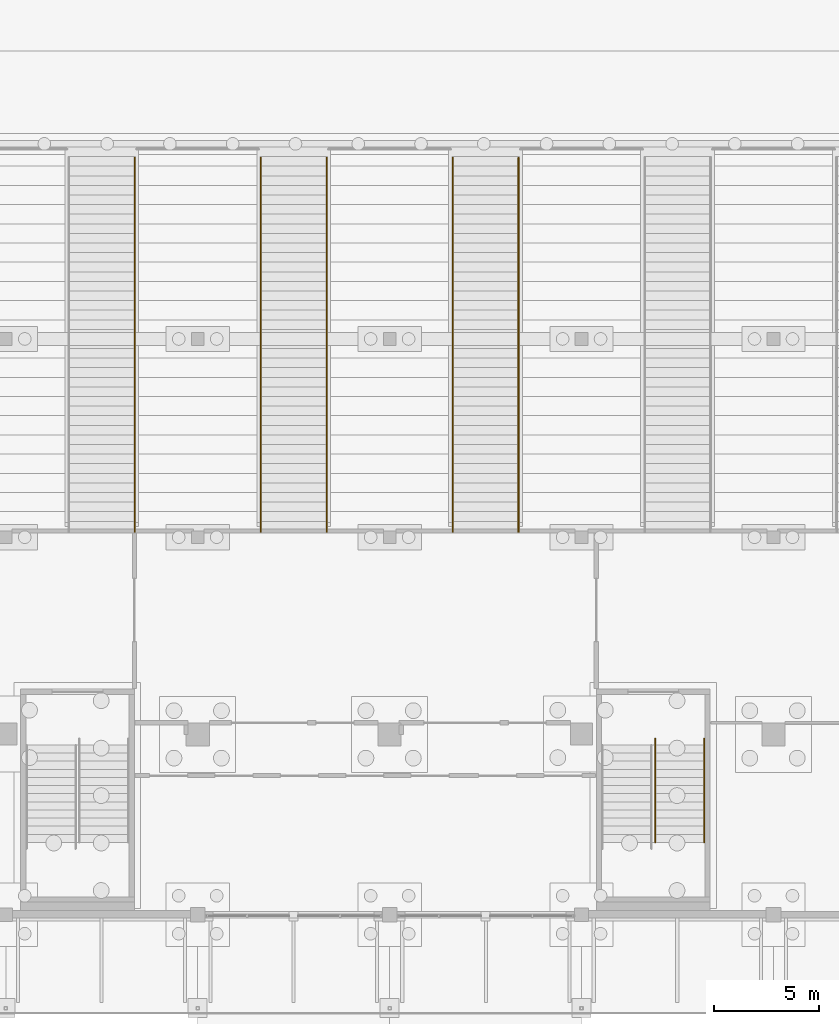
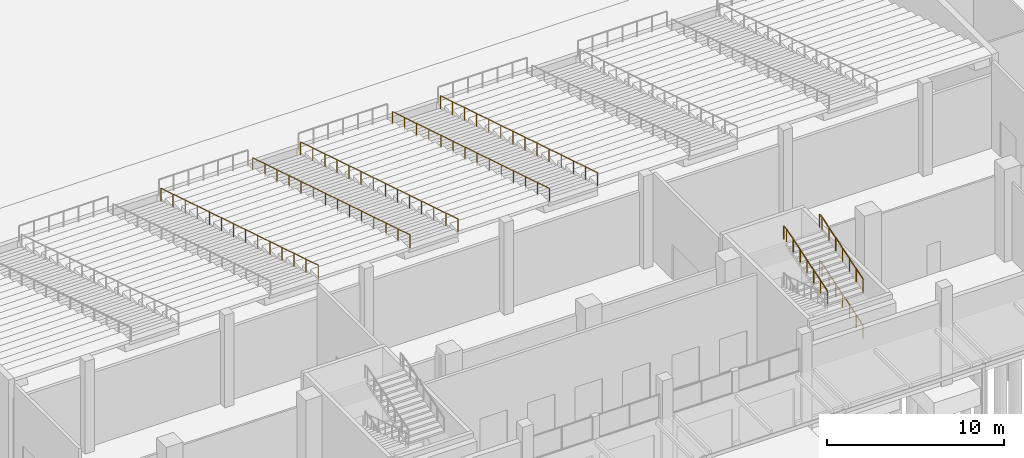
# One storey, part 105 of 129: 8 railings.
"""IFC4 building model written with IfcOpenShell, lengths in metres."""

from ifc_helpers import new_model, si_unit, direction, frame, origin, origin_2d, place, context, subcontext, project, spatial, circle, extrude, material, type_object, element, save


model = new_model("IFC4")

# Units and contexts
model_context = context("Model", 3, precision=1e-05, world=origin(), true_north=direction((0.0, 1.0)))
body_context = subcontext(model_context, "Body", "Model", "MODEL_VIEW")
ifc_project = project(units=[si_unit("LENGTHUNIT", "METRE"), si_unit("AREAUNIT", "SQUARE_METRE"), si_unit("VOLUMEUNIT", "CUBIC_METRE"), si_unit("PLANEANGLEUNIT", "RADIAN"), si_unit("MASSUNIT", "GRAM", prefix="KILO")], contexts=[model_context])

# Site, building, storey
site_placement = place(None, origin())
site = spatial("IfcSite", under=ifc_project, at=site_placement, CompositionType="ELEMENT")
building_placement = place(site_placement, origin())
building = spatial("IfcBuilding", under=site, at=building_placement, Name="Shirokan Park Arena", CompositionType="ELEMENT")
storey_placement = place(building_placement, origin())
storey = spatial("IfcBuildingStorey", under=building, at=storey_placement, Name="L00", CompositionType="ELEMENT", Elevation=0.0)

# Railings
ifc_material = material(Name="Stainless steel", Category="steel")
railing_type_1 = type_object("IfcRailingType", Name="Aisle handrail 900", PredefinedType="HANDRAIL", material=ifc_material)
railing_1_placement = place(storey_placement, frame((60.7099609375, 35.89501953125, 0.909912109375)))
element("IfcRailing", 1, at=railing_1_placement, inside=storey, type_object=railing_type_1, Name="Handrail vomitory stair S2 lower", PredefinedType="HANDRAIL", context=body_context, shape_type="SweptSolid", body=[
    extrude(circle(Radius=0.02490234375, at=origin_2d()), frame((0.0, 0.0, 0.89013671875), z_axis=(0.0, -0.955745737905, 0.294193957241), x_axis=(1.0, 0.0, 0.0)), (0.0, 0.0, 1.0), 1.42822265625),
    extrude(circle(Radius=0.02490234375, at=origin_2d()), frame((0.0, -1.364990234375, 1.310546875), z_axis=(0.0, -0.95579379257, 0.294037797035), x_axis=(1.0, 0.0, 0.0)), (0.0, 0.0, 1.0), 1.42822265625),
    extrude(circle(Radius=0.02490234375, at=origin_2d()), frame((0.0, -2.72998046875, 1.73046875), z_axis=(0.0, -0.95579379257, 0.294037797035), x_axis=(1.0, 0.0, 0.0)), (0.0, 0.0, 1.0), 1.42822265625),
    extrude(circle(Radius=0.02490234375, at=origin_2d()), frame((0.0, -4.094970703125, 2.150390625), z_axis=(0.0, -0.955745737905, 0.294193957241), x_axis=(1.0, 0.0, 0.0)), (0.0, 0.0, 1.0), 1.42822265625),
    extrude(circle(Radius=0.02490234375, at=origin_2d()), frame((0.0, -5.4599609375, 2.5703125), z_axis=(0.0, -0.95579379257, 0.294037797035), x_axis=(1.0, 0.0, 0.0)), (0.0, 0.0, 1.0), 1.42822265625),
    extrude(circle(Radius=0.02490234375, at=origin_2d()), frame((0.0, -6.824951171875, 2.990234375), z_axis=(0.0, -0.95579379257, 0.294037797035), x_axis=(1.0, 0.0, 0.0)), (0.0, 0.0, 1.0), 1.42822265625),
    extrude(circle(Radius=0.02490234375, at=origin_2d()), frame((0.0, -8.18994140625, 3.41015625), z_axis=(0.0, -0.955745737905, 0.294193957241), x_axis=(1.0, 0.0, 0.0)), (0.0, 0.0, 1.0), 1.42822265625),
    extrude(circle(Radius=0.02490234375, at=origin_2d()), frame((0.0, -9.554931640625, 3.83056640625), z_axis=(0.0, -0.95579379257, 0.294037797035), x_axis=(1.0, 0.0, 0.0)), (0.0, 0.0, 1.0), 1.42822265625),
    extrude(circle(Radius=0.02490234375, at=origin_2d()), frame((0.0, -10.919921875, 4.25048828125), z_axis=(0.0, -0.95579379257, 0.294037797035), x_axis=(1.0, 0.0, 0.0)), (0.0, 0.0, 1.0), 1.42822265625),
    extrude(circle(Radius=0.02490234375, at=origin_2d()), frame((0.0, -12.284912109375, 4.67041015625), z_axis=(0.0, -0.955745737905, 0.294193957241), x_axis=(1.0, 0.0, 0.0)), (0.0, 0.0, 1.0), 1.42822265625),
    extrude(circle(Radius=0.02490234375, at=origin_2d()), frame((0.0, -13.64990234375, 5.09033203125), z_axis=(0.0, -0.955808569173, 0.293989760189), x_axis=(1.0, 0.0, 0.0)), (0.0, 0.0, 1.0), 1.428466796875),
    extrude(circle(Radius=0.02490234375, at=origin_2d()), frame((0.0, -15.01513671875, 5.51025390625), z_axis=(0.0, -0.95579379257, 0.294037797035), x_axis=(1.0, 0.0, 0.0)), (0.0, 0.0, 1.0), 1.42822265625),
    extrude(circle(Radius=0.02490234375, at=origin_2d()), frame((0.0, -16.380126953125, 5.93017578125), z_axis=(0.0, -0.955745737905, 0.294193957241), x_axis=(1.0, 0.0, 0.0)), (0.0, 0.0, 1.0), 1.42822265625),
    extrude(circle(Radius=0.02490234375, at=origin_2d()), origin(), (0.0, 0.0, 1.0), 0.865234375),
    extrude(circle(Radius=0.02490234375, at=origin_2d()), frame((0.0, -1.364990234375, 0.420166015625)), (0.0, 0.0, 1.0), 0.865234375),
    extrude(circle(Radius=0.02490234375, at=origin_2d()), frame((0.0, -2.72998046875, 0.840087890625)), (0.0, 0.0, 1.0), 0.865234375),
    extrude(circle(Radius=0.02490234375, at=origin_2d()), frame((0.0, -4.094970703125, 1.260009765625)), (0.0, 0.0, 1.0), 0.865234375),
    extrude(circle(Radius=0.02490234375, at=origin_2d()), frame((0.0, -5.4599609375, 1.68017578125)), (0.0, 0.0, 1.0), 0.865234375),
    extrude(circle(Radius=0.02490234375, at=origin_2d()), frame((0.0, -6.824951171875, 2.10009765625)), (0.0, 0.0, 1.0), 0.865234375),
    extrude(circle(Radius=0.02490234375, at=origin_2d()), frame((0.0, -8.18994140625, 2.52001953125)), (0.0, 0.0, 1.0), 0.865234375),
    extrude(circle(Radius=0.02490234375, at=origin_2d()), frame((0.0, -9.554931640625, 2.940185546875)), (0.0, 0.0, 1.0), 0.865234375),
    extrude(circle(Radius=0.02490234375, at=origin_2d()), frame((0.0, -10.919921875, 3.360107421875)), (0.0, 0.0, 1.0), 0.865234375),
    extrude(circle(Radius=0.02490234375, at=origin_2d()), frame((0.0, -12.284912109375, 3.780029296875)), (0.0, 0.0, 1.0), 0.865234375),
    extrude(circle(Radius=0.02490234375, at=origin_2d()), frame((0.0, -13.64990234375, 4.2001953125)), (0.0, 0.0, 1.0), 0.865234375),
    extrude(circle(Radius=0.02490234375, at=origin_2d()), frame((0.0, -15.01513671875, 4.6201171875)), (0.0, 0.0, 1.0), 0.865234375),
    extrude(circle(Radius=0.02490234375, at=origin_2d()), frame((0.0, -16.380126953125, 5.0400390625)), (0.0, 0.0, 1.0), 0.865234375),
    extrude(circle(Radius=0.02490234375, at=origin_2d()), frame((0.0, -17.7451171875, 5.460205078125)), (0.0, 0.0, 1.0), 0.865234375),
])
railing_2_placement = place(storey_placement, frame((66.68994140625, 35.89501953125, 0.909912109375)))
element("IfcRailing", 2, at=railing_2_placement, inside=storey, type_object=railing_type_1, Name="Handrail vomitory stair S3 lower", PredefinedType="HANDRAIL", context=body_context, shape_type="SweptSolid", body=[
    extrude(circle(Radius=0.02490234375, at=origin_2d()), frame((0.0, 0.0, 0.89013671875), z_axis=(0.0, -0.955745737905, 0.294193957241), x_axis=(1.0, 0.0, 0.0)), (0.0, 0.0, 1.0), 1.42822265625),
    extrude(circle(Radius=0.02490234375, at=origin_2d()), frame((0.0, -1.364990234375, 1.310546875), z_axis=(0.0, -0.95579379257, 0.294037797035), x_axis=(1.0, 0.0, 0.0)), (0.0, 0.0, 1.0), 1.42822265625),
    extrude(circle(Radius=0.02490234375, at=origin_2d()), frame((0.0, -2.72998046875, 1.73046875), z_axis=(0.0, -0.95579379257, 0.294037797035), x_axis=(1.0, 0.0, 0.0)), (0.0, 0.0, 1.0), 1.42822265625),
    extrude(circle(Radius=0.02490234375, at=origin_2d()), frame((0.0, -4.094970703125, 2.150390625), z_axis=(0.0, -0.955745737905, 0.294193957241), x_axis=(1.0, 0.0, 0.0)), (0.0, 0.0, 1.0), 1.42822265625),
    extrude(circle(Radius=0.02490234375, at=origin_2d()), frame((0.0, -5.4599609375, 2.5703125), z_axis=(0.0, -0.95579379257, 0.294037797035), x_axis=(1.0, 0.0, 0.0)), (0.0, 0.0, 1.0), 1.42822265625),
    extrude(circle(Radius=0.02490234375, at=origin_2d()), frame((0.0, -6.824951171875, 2.990234375), z_axis=(0.0, -0.95579379257, 0.294037797035), x_axis=(1.0, 0.0, 0.0)), (0.0, 0.0, 1.0), 1.42822265625),
    extrude(circle(Radius=0.02490234375, at=origin_2d()), frame((0.0, -8.18994140625, 3.41015625), z_axis=(0.0, -0.955745737905, 0.294193957241), x_axis=(1.0, 0.0, 0.0)), (0.0, 0.0, 1.0), 1.42822265625),
    extrude(circle(Radius=0.02490234375, at=origin_2d()), frame((0.0, -9.554931640625, 3.83056640625), z_axis=(0.0, -0.95579379257, 0.294037797035), x_axis=(1.0, 0.0, 0.0)), (0.0, 0.0, 1.0), 1.42822265625),
    extrude(circle(Radius=0.02490234375, at=origin_2d()), frame((0.0, -10.919921875, 4.25048828125), z_axis=(0.0, -0.95579379257, 0.294037797035), x_axis=(1.0, 0.0, 0.0)), (0.0, 0.0, 1.0), 1.42822265625),
    extrude(circle(Radius=0.02490234375, at=origin_2d()), frame((0.0, -12.284912109375, 4.67041015625), z_axis=(0.0, -0.955745737905, 0.294193957241), x_axis=(1.0, 0.0, 0.0)), (0.0, 0.0, 1.0), 1.42822265625),
    extrude(circle(Radius=0.02490234375, at=origin_2d()), frame((0.0, -13.64990234375, 5.09033203125), z_axis=(0.0, -0.955808569173, 0.293989760189), x_axis=(1.0, 0.0, 0.0)), (0.0, 0.0, 1.0), 1.428466796875),
    extrude(circle(Radius=0.02490234375, at=origin_2d()), frame((0.0, -15.01513671875, 5.51025390625), z_axis=(0.0, -0.95579379257, 0.294037797035), x_axis=(1.0, 0.0, 0.0)), (0.0, 0.0, 1.0), 1.42822265625),
    extrude(circle(Radius=0.02490234375, at=origin_2d()), frame((0.0, -16.380126953125, 5.93017578125), z_axis=(0.0, -0.955745737905, 0.294193957241), x_axis=(1.0, 0.0, 0.0)), (0.0, 0.0, 1.0), 1.42822265625),
    extrude(circle(Radius=0.02490234375, at=origin_2d()), origin(), (0.0, 0.0, 1.0), 0.865234375),
    extrude(circle(Radius=0.02490234375, at=origin_2d()), frame((0.0, -1.364990234375, 0.420166015625)), (0.0, 0.0, 1.0), 0.865234375),
    extrude(circle(Radius=0.02490234375, at=origin_2d()), frame((0.0, -2.72998046875, 0.840087890625)), (0.0, 0.0, 1.0), 0.865234375),
    extrude(circle(Radius=0.02490234375, at=origin_2d()), frame((0.0, -4.094970703125, 1.260009765625)), (0.0, 0.0, 1.0), 0.865234375),
    extrude(circle(Radius=0.02490234375, at=origin_2d()), frame((0.0, -5.4599609375, 1.68017578125)), (0.0, 0.0, 1.0), 0.865234375),
    extrude(circle(Radius=0.02490234375, at=origin_2d()), frame((0.0, -6.824951171875, 2.10009765625)), (0.0, 0.0, 1.0), 0.865234375),
    extrude(circle(Radius=0.02490234375, at=origin_2d()), frame((0.0, -8.18994140625, 2.52001953125)), (0.0, 0.0, 1.0), 0.865234375),
    extrude(circle(Radius=0.02490234375, at=origin_2d()), frame((0.0, -9.554931640625, 2.940185546875)), (0.0, 0.0, 1.0), 0.865234375),
    extrude(circle(Radius=0.02490234375, at=origin_2d()), frame((0.0, -10.919921875, 3.360107421875)), (0.0, 0.0, 1.0), 0.865234375),
    extrude(circle(Radius=0.02490234375, at=origin_2d()), frame((0.0, -12.284912109375, 3.780029296875)), (0.0, 0.0, 1.0), 0.865234375),
    extrude(circle(Radius=0.02490234375, at=origin_2d()), frame((0.0, -13.64990234375, 4.2001953125)), (0.0, 0.0, 1.0), 0.865234375),
    extrude(circle(Radius=0.02490234375, at=origin_2d()), frame((0.0, -15.01513671875, 4.6201171875)), (0.0, 0.0, 1.0), 0.865234375),
    extrude(circle(Radius=0.02490234375, at=origin_2d()), frame((0.0, -16.380126953125, 5.0400390625)), (0.0, 0.0, 1.0), 0.865234375),
    extrude(circle(Radius=0.02490234375, at=origin_2d()), frame((0.0, -17.7451171875, 5.460205078125)), (0.0, 0.0, 1.0), 0.865234375),
])
railing_3_placement = place(storey_placement, frame((69.81005859375, 35.89501953125, 0.909912109375)))
element("IfcRailing", 3, at=railing_3_placement, inside=storey, type_object=railing_type_1, Name="Handrail vomitory stair S3 lower", PredefinedType="HANDRAIL", context=body_context, shape_type="SweptSolid", body=[
    extrude(circle(Radius=0.02490234375, at=origin_2d()), frame((0.0, 0.0, 0.89013671875), z_axis=(0.0, -0.955745737905, 0.294193957241), x_axis=(1.0, 0.0, 0.0)), (0.0, 0.0, 1.0), 1.42822265625),
    extrude(circle(Radius=0.02490234375, at=origin_2d()), frame((0.0, -1.364990234375, 1.310546875), z_axis=(0.0, -0.95579379257, 0.294037797035), x_axis=(1.0, 0.0, 0.0)), (0.0, 0.0, 1.0), 1.42822265625),
    extrude(circle(Radius=0.02490234375, at=origin_2d()), frame((0.0, -2.72998046875, 1.73046875), z_axis=(0.0, -0.95579379257, 0.294037797035), x_axis=(1.0, 0.0, 0.0)), (0.0, 0.0, 1.0), 1.42822265625),
    extrude(circle(Radius=0.02490234375, at=origin_2d()), frame((0.0, -4.094970703125, 2.150390625), z_axis=(0.0, -0.955745737905, 0.294193957241), x_axis=(1.0, 0.0, 0.0)), (0.0, 0.0, 1.0), 1.42822265625),
    extrude(circle(Radius=0.02490234375, at=origin_2d()), frame((0.0, -5.4599609375, 2.5703125), z_axis=(0.0, -0.95579379257, 0.294037797035), x_axis=(1.0, 0.0, 0.0)), (0.0, 0.0, 1.0), 1.42822265625),
    extrude(circle(Radius=0.02490234375, at=origin_2d()), frame((0.0, -6.824951171875, 2.990234375), z_axis=(0.0, -0.95579379257, 0.294037797035), x_axis=(1.0, 0.0, 0.0)), (0.0, 0.0, 1.0), 1.42822265625),
    extrude(circle(Radius=0.02490234375, at=origin_2d()), frame((0.0, -8.18994140625, 3.41015625), z_axis=(0.0, -0.955745737905, 0.294193957241), x_axis=(1.0, 0.0, 0.0)), (0.0, 0.0, 1.0), 1.42822265625),
    extrude(circle(Radius=0.02490234375, at=origin_2d()), frame((0.0, -9.554931640625, 3.83056640625), z_axis=(0.0, -0.95579379257, 0.294037797035), x_axis=(1.0, 0.0, 0.0)), (0.0, 0.0, 1.0), 1.42822265625),
    extrude(circle(Radius=0.02490234375, at=origin_2d()), frame((0.0, -10.919921875, 4.25048828125), z_axis=(0.0, -0.95579379257, 0.294037797035), x_axis=(1.0, 0.0, 0.0)), (0.0, 0.0, 1.0), 1.42822265625),
    extrude(circle(Radius=0.02490234375, at=origin_2d()), frame((0.0, -12.284912109375, 4.67041015625), z_axis=(0.0, -0.955745737905, 0.294193957241), x_axis=(1.0, 0.0, 0.0)), (0.0, 0.0, 1.0), 1.42822265625),
    extrude(circle(Radius=0.02490234375, at=origin_2d()), frame((0.0, -13.64990234375, 5.09033203125), z_axis=(0.0, -0.955808569173, 0.293989760189), x_axis=(1.0, 0.0, 0.0)), (0.0, 0.0, 1.0), 1.428466796875),
    extrude(circle(Radius=0.02490234375, at=origin_2d()), frame((0.0, -15.01513671875, 5.51025390625), z_axis=(0.0, -0.95579379257, 0.294037797035), x_axis=(1.0, 0.0, 0.0)), (0.0, 0.0, 1.0), 1.42822265625),
    extrude(circle(Radius=0.02490234375, at=origin_2d()), frame((0.0, -16.380126953125, 5.93017578125), z_axis=(0.0, -0.955745737905, 0.294193957241), x_axis=(1.0, 0.0, 0.0)), (0.0, 0.0, 1.0), 1.42822265625),
    extrude(circle(Radius=0.02490234375, at=origin_2d()), origin(), (0.0, 0.0, 1.0), 0.865234375),
    extrude(circle(Radius=0.02490234375, at=origin_2d()), frame((0.0, -1.364990234375, 0.420166015625)), (0.0, 0.0, 1.0), 0.865234375),
    extrude(circle(Radius=0.02490234375, at=origin_2d()), frame((0.0, -2.72998046875, 0.840087890625)), (0.0, 0.0, 1.0), 0.865234375),
    extrude(circle(Radius=0.02490234375, at=origin_2d()), frame((0.0, -4.094970703125, 1.260009765625)), (0.0, 0.0, 1.0), 0.865234375),
    extrude(circle(Radius=0.02490234375, at=origin_2d()), frame((0.0, -5.4599609375, 1.68017578125)), (0.0, 0.0, 1.0), 0.865234375),
    extrude(circle(Radius=0.02490234375, at=origin_2d()), frame((0.0, -6.824951171875, 2.10009765625)), (0.0, 0.0, 1.0), 0.865234375),
    extrude(circle(Radius=0.02490234375, at=origin_2d()), frame((0.0, -8.18994140625, 2.52001953125)), (0.0, 0.0, 1.0), 0.865234375),
    extrude(circle(Radius=0.02490234375, at=origin_2d()), frame((0.0, -9.554931640625, 2.940185546875)), (0.0, 0.0, 1.0), 0.865234375),
    extrude(circle(Radius=0.02490234375, at=origin_2d()), frame((0.0, -10.919921875, 3.360107421875)), (0.0, 0.0, 1.0), 0.865234375),
    extrude(circle(Radius=0.02490234375, at=origin_2d()), frame((0.0, -12.284912109375, 3.780029296875)), (0.0, 0.0, 1.0), 0.865234375),
    extrude(circle(Radius=0.02490234375, at=origin_2d()), frame((0.0, -13.64990234375, 4.2001953125)), (0.0, 0.0, 1.0), 0.865234375),
    extrude(circle(Radius=0.02490234375, at=origin_2d()), frame((0.0, -15.01513671875, 4.6201171875)), (0.0, 0.0, 1.0), 0.865234375),
    extrude(circle(Radius=0.02490234375, at=origin_2d()), frame((0.0, -16.380126953125, 5.0400390625)), (0.0, 0.0, 1.0), 0.865234375),
    extrude(circle(Radius=0.02490234375, at=origin_2d()), frame((0.0, -17.7451171875, 5.460205078125)), (0.0, 0.0, 1.0), 0.865234375),
])
railing_4_placement = place(storey_placement, frame((75.7900390625, 35.89501953125, 0.909912109375)))
element("IfcRailing", 4, at=railing_4_placement, inside=storey, type_object=railing_type_1, Name="Handrail vomitory stair S4 lower", PredefinedType="HANDRAIL", context=body_context, shape_type="SweptSolid", body=[
    extrude(circle(Radius=0.02490234375, at=origin_2d()), frame((0.0, 0.0, 0.89013671875), z_axis=(0.0, -0.955745737905, 0.294193957241), x_axis=(1.0, 0.0, 0.0)), (0.0, 0.0, 1.0), 1.42822265625),
    extrude(circle(Radius=0.02490234375, at=origin_2d()), frame((0.0, -1.364990234375, 1.310546875), z_axis=(0.0, -0.95579379257, 0.294037797035), x_axis=(1.0, 0.0, 0.0)), (0.0, 0.0, 1.0), 1.42822265625),
    extrude(circle(Radius=0.02490234375, at=origin_2d()), frame((0.0, -2.72998046875, 1.73046875), z_axis=(0.0, -0.95579379257, 0.294037797035), x_axis=(1.0, 0.0, 0.0)), (0.0, 0.0, 1.0), 1.42822265625),
    extrude(circle(Radius=0.02490234375, at=origin_2d()), frame((0.0, -4.094970703125, 2.150390625), z_axis=(0.0, -0.955745737905, 0.294193957241), x_axis=(1.0, 0.0, 0.0)), (0.0, 0.0, 1.0), 1.42822265625),
    extrude(circle(Radius=0.02490234375, at=origin_2d()), frame((0.0, -5.4599609375, 2.5703125), z_axis=(0.0, -0.95579379257, 0.294037797035), x_axis=(1.0, 0.0, 0.0)), (0.0, 0.0, 1.0), 1.42822265625),
    extrude(circle(Radius=0.02490234375, at=origin_2d()), frame((0.0, -6.824951171875, 2.990234375), z_axis=(0.0, -0.95579379257, 0.294037797035), x_axis=(1.0, 0.0, 0.0)), (0.0, 0.0, 1.0), 1.42822265625),
    extrude(circle(Radius=0.02490234375, at=origin_2d()), frame((0.0, -8.18994140625, 3.41015625), z_axis=(0.0, -0.955745737905, 0.294193957241), x_axis=(1.0, 0.0, 0.0)), (0.0, 0.0, 1.0), 1.42822265625),
    extrude(circle(Radius=0.02490234375, at=origin_2d()), frame((0.0, -9.554931640625, 3.83056640625), z_axis=(0.0, -0.95579379257, 0.294037797035), x_axis=(1.0, 0.0, 0.0)), (0.0, 0.0, 1.0), 1.42822265625),
    extrude(circle(Radius=0.02490234375, at=origin_2d()), frame((0.0, -10.919921875, 4.25048828125), z_axis=(0.0, -0.95579379257, 0.294037797035), x_axis=(1.0, 0.0, 0.0)), (0.0, 0.0, 1.0), 1.42822265625),
    extrude(circle(Radius=0.02490234375, at=origin_2d()), frame((0.0, -12.284912109375, 4.67041015625), z_axis=(0.0, -0.955745737905, 0.294193957241), x_axis=(1.0, 0.0, 0.0)), (0.0, 0.0, 1.0), 1.42822265625),
    extrude(circle(Radius=0.02490234375, at=origin_2d()), frame((0.0, -13.64990234375, 5.09033203125), z_axis=(0.0, -0.955808569173, 0.293989760189), x_axis=(1.0, 0.0, 0.0)), (0.0, 0.0, 1.0), 1.428466796875),
    extrude(circle(Radius=0.02490234375, at=origin_2d()), frame((0.0, -15.01513671875, 5.51025390625), z_axis=(0.0, -0.95579379257, 0.294037797035), x_axis=(1.0, 0.0, 0.0)), (0.0, 0.0, 1.0), 1.42822265625),
    extrude(circle(Radius=0.02490234375, at=origin_2d()), frame((0.0, -16.380126953125, 5.93017578125), z_axis=(0.0, -0.955745737905, 0.294193957241), x_axis=(1.0, 0.0, 0.0)), (0.0, 0.0, 1.0), 1.42822265625),
    extrude(circle(Radius=0.02490234375, at=origin_2d()), origin(), (0.0, 0.0, 1.0), 0.865234375),
    extrude(circle(Radius=0.02490234375, at=origin_2d()), frame((0.0, -1.364990234375, 0.420166015625)), (0.0, 0.0, 1.0), 0.865234375),
    extrude(circle(Radius=0.02490234375, at=origin_2d()), frame((0.0, -2.72998046875, 0.840087890625)), (0.0, 0.0, 1.0), 0.865234375),
    extrude(circle(Radius=0.02490234375, at=origin_2d()), frame((0.0, -4.094970703125, 1.260009765625)), (0.0, 0.0, 1.0), 0.865234375),
    extrude(circle(Radius=0.02490234375, at=origin_2d()), frame((0.0, -5.4599609375, 1.68017578125)), (0.0, 0.0, 1.0), 0.865234375),
    extrude(circle(Radius=0.02490234375, at=origin_2d()), frame((0.0, -6.824951171875, 2.10009765625)), (0.0, 0.0, 1.0), 0.865234375),
    extrude(circle(Radius=0.02490234375, at=origin_2d()), frame((0.0, -8.18994140625, 2.52001953125)), (0.0, 0.0, 1.0), 0.865234375),
    extrude(circle(Radius=0.02490234375, at=origin_2d()), frame((0.0, -9.554931640625, 2.940185546875)), (0.0, 0.0, 1.0), 0.865234375),
    extrude(circle(Radius=0.02490234375, at=origin_2d()), frame((0.0, -10.919921875, 3.360107421875)), (0.0, 0.0, 1.0), 0.865234375),
    extrude(circle(Radius=0.02490234375, at=origin_2d()), frame((0.0, -12.284912109375, 3.780029296875)), (0.0, 0.0, 1.0), 0.865234375),
    extrude(circle(Radius=0.02490234375, at=origin_2d()), frame((0.0, -13.64990234375, 4.2001953125)), (0.0, 0.0, 1.0), 0.865234375),
    extrude(circle(Radius=0.02490234375, at=origin_2d()), frame((0.0, -15.01513671875, 4.6201171875)), (0.0, 0.0, 1.0), 0.865234375),
    extrude(circle(Radius=0.02490234375, at=origin_2d()), frame((0.0, -16.380126953125, 5.0400390625)), (0.0, 0.0, 1.0), 0.865234375),
    extrude(circle(Radius=0.02490234375, at=origin_2d()), frame((0.0, -17.7451171875, 5.460205078125)), (0.0, 0.0, 1.0), 0.865234375),
])
railing_5_placement = place(storey_placement, frame((78.909912109375, 35.89501953125, 0.909912109375)))
element("IfcRailing", 5, at=railing_5_placement, inside=storey, type_object=railing_type_1, Name="Handrail vomitory stair S4 lower", PredefinedType="HANDRAIL", context=body_context, shape_type="SweptSolid", body=[
    extrude(circle(Radius=0.02490234375, at=origin_2d()), frame((0.0, 0.0, 0.89013671875), z_axis=(0.0, -0.955745737905, 0.294193957241), x_axis=(1.0, 0.0, 0.0)), (0.0, 0.0, 1.0), 1.42822265625),
    extrude(circle(Radius=0.02490234375, at=origin_2d()), frame((0.0, -1.364990234375, 1.310546875), z_axis=(0.0, -0.95579379257, 0.294037797035), x_axis=(1.0, 0.0, 0.0)), (0.0, 0.0, 1.0), 1.42822265625),
    extrude(circle(Radius=0.02490234375, at=origin_2d()), frame((0.0, -2.72998046875, 1.73046875), z_axis=(0.0, -0.95579379257, 0.294037797035), x_axis=(1.0, 0.0, 0.0)), (0.0, 0.0, 1.0), 1.42822265625),
    extrude(circle(Radius=0.02490234375, at=origin_2d()), frame((0.0, -4.094970703125, 2.150390625), z_axis=(0.0, -0.955745737905, 0.294193957241), x_axis=(1.0, 0.0, 0.0)), (0.0, 0.0, 1.0), 1.42822265625),
    extrude(circle(Radius=0.02490234375, at=origin_2d()), frame((0.0, -5.4599609375, 2.5703125), z_axis=(0.0, -0.95579379257, 0.294037797035), x_axis=(1.0, 0.0, 0.0)), (0.0, 0.0, 1.0), 1.42822265625),
    extrude(circle(Radius=0.02490234375, at=origin_2d()), frame((0.0, -6.824951171875, 2.990234375), z_axis=(0.0, -0.95579379257, 0.294037797035), x_axis=(1.0, 0.0, 0.0)), (0.0, 0.0, 1.0), 1.42822265625),
    extrude(circle(Radius=0.02490234375, at=origin_2d()), frame((0.0, -8.18994140625, 3.41015625), z_axis=(0.0, -0.955745737905, 0.294193957241), x_axis=(1.0, 0.0, 0.0)), (0.0, 0.0, 1.0), 1.42822265625),
    extrude(circle(Radius=0.02490234375, at=origin_2d()), frame((0.0, -9.554931640625, 3.83056640625), z_axis=(0.0, -0.95579379257, 0.294037797035), x_axis=(1.0, 0.0, 0.0)), (0.0, 0.0, 1.0), 1.42822265625),
    extrude(circle(Radius=0.02490234375, at=origin_2d()), frame((0.0, -10.919921875, 4.25048828125), z_axis=(0.0, -0.95579379257, 0.294037797035), x_axis=(1.0, 0.0, 0.0)), (0.0, 0.0, 1.0), 1.42822265625),
    extrude(circle(Radius=0.02490234375, at=origin_2d()), frame((0.0, -12.284912109375, 4.67041015625), z_axis=(0.0, -0.955745737905, 0.294193957241), x_axis=(1.0, 0.0, 0.0)), (0.0, 0.0, 1.0), 1.42822265625),
    extrude(circle(Radius=0.02490234375, at=origin_2d()), frame((0.0, -13.64990234375, 5.09033203125), z_axis=(0.0, -0.955808569173, 0.293989760189), x_axis=(1.0, 0.0, 0.0)), (0.0, 0.0, 1.0), 1.428466796875),
    extrude(circle(Radius=0.02490234375, at=origin_2d()), frame((0.0, -15.01513671875, 5.51025390625), z_axis=(0.0, -0.95579379257, 0.294037797035), x_axis=(1.0, 0.0, 0.0)), (0.0, 0.0, 1.0), 1.42822265625),
    extrude(circle(Radius=0.02490234375, at=origin_2d()), frame((0.0, -16.380126953125, 5.93017578125), z_axis=(0.0, -0.955745737905, 0.294193957241), x_axis=(1.0, 0.0, 0.0)), (0.0, 0.0, 1.0), 1.42822265625),
    extrude(circle(Radius=0.02490234375, at=origin_2d()), origin(), (0.0, 0.0, 1.0), 0.865234375),
    extrude(circle(Radius=0.02490234375, at=origin_2d()), frame((0.0, -1.364990234375, 0.420166015625)), (0.0, 0.0, 1.0), 0.865234375),
    extrude(circle(Radius=0.02490234375, at=origin_2d()), frame((0.0, -2.72998046875, 0.840087890625)), (0.0, 0.0, 1.0), 0.865234375),
    extrude(circle(Radius=0.02490234375, at=origin_2d()), frame((0.0, -4.094970703125, 1.260009765625)), (0.0, 0.0, 1.0), 0.865234375),
    extrude(circle(Radius=0.02490234375, at=origin_2d()), frame((0.0, -5.4599609375, 1.68017578125)), (0.0, 0.0, 1.0), 0.865234375),
    extrude(circle(Radius=0.02490234375, at=origin_2d()), frame((0.0, -6.824951171875, 2.10009765625)), (0.0, 0.0, 1.0), 0.865234375),
    extrude(circle(Radius=0.02490234375, at=origin_2d()), frame((0.0, -8.18994140625, 2.52001953125)), (0.0, 0.0, 1.0), 0.865234375),
    extrude(circle(Radius=0.02490234375, at=origin_2d()), frame((0.0, -9.554931640625, 2.940185546875)), (0.0, 0.0, 1.0), 0.865234375),
    extrude(circle(Radius=0.02490234375, at=origin_2d()), frame((0.0, -10.919921875, 3.360107421875)), (0.0, 0.0, 1.0), 0.865234375),
    extrude(circle(Radius=0.02490234375, at=origin_2d()), frame((0.0, -12.284912109375, 3.780029296875)), (0.0, 0.0, 1.0), 0.865234375),
    extrude(circle(Radius=0.02490234375, at=origin_2d()), frame((0.0, -13.64990234375, 4.2001953125)), (0.0, 0.0, 1.0), 0.865234375),
    extrude(circle(Radius=0.02490234375, at=origin_2d()), frame((0.0, -15.01513671875, 4.6201171875)), (0.0, 0.0, 1.0), 0.865234375),
    extrude(circle(Radius=0.02490234375, at=origin_2d()), frame((0.0, -16.380126953125, 5.0400390625)), (0.0, 0.0, 1.0), 0.865234375),
    extrude(circle(Radius=0.02490234375, at=origin_2d()), frame((0.0, -17.7451171875, 5.460205078125)), (0.0, 0.0, 1.0), 0.865234375),
])
railing_type_2 = type_object("IfcRailingType", Name="Stair handrail 900", PredefinedType="HANDRAIL", material=ifc_material)
railing_6_placement = place(storey_placement, frame((87.7099609375, 3.429931640625, 1.715087890625)))
element("IfcRailing", 6, at=railing_6_placement, inside=storey, type_object=railing_type_2, Name="Handrail Entrance Stair E1.2 L00 to L01", PredefinedType="HANDRAIL", context=body_context, shape_type="SweptSolid", body=[
    extrude(circle(Radius=0.02392578125, at=origin_2d()), frame((0.0, 0.0, 0.8759765625), z_axis=(0.0, 0.952929747917, 0.303191186441), x_axis=(-1.0, 0.0, 0.0)), (0.0, 0.0, 1.0), 1.6162109375),
    extrude(circle(Radius=0.02392578125, at=origin_2d()), frame((0.0, 1.5400390625, 1.36572265625), z_axis=(0.0, 0.952929747917, 0.303191186441), x_axis=(-1.0, 0.0, 0.0)), (0.0, 0.0, 1.0), 1.6162109375),
    extrude(circle(Radius=0.02392578125, at=origin_2d()), frame((0.0, 3.080078125, 1.85595703125), z_axis=(0.0, 0.952929747917, 0.303191186441), x_axis=(-1.0, 0.0, 0.0)), (0.0, 0.0, 1.0), 1.6162109375),
    extrude(circle(Radius=0.02392578125, at=origin_2d()), frame((0.0, 4.6201171875, 2.345703125), z_axis=(0.0, 1.0, 0.0), x_axis=(-1.0, 0.0, 0.0)), (0.0, 0.0, 1.0), 0.300048828125),
    extrude(circle(Radius=0.02099609375, at=origin_2d()), origin(), (0.0, 0.0, 1.0), 0.851806640625),
    extrude(circle(Radius=0.02099609375, at=origin_2d()), frame((0.0, 0.77001953125, 0.2451171875)), (0.0, 0.0, 1.0), 0.851806640625),
    extrude(circle(Radius=0.02099609375, at=origin_2d()), frame((0.0, 1.5400390625, 0.489990234375)), (0.0, 0.0, 1.0), 0.851806640625),
    extrude(circle(Radius=0.02099609375, at=origin_2d()), frame((0.0, 2.31005859375, 0.73486328125)), (0.0, 0.0, 1.0), 0.851806640625),
    extrude(circle(Radius=0.02099609375, at=origin_2d()), frame((0.0, 3.080078125, 0.97998046875)), (0.0, 0.0, 1.0), 0.851806640625),
    extrude(circle(Radius=0.02099609375, at=origin_2d()), frame((0.0, 3.85009765625, 1.22509765625)), (0.0, 0.0, 1.0), 0.851806640625),
    extrude(circle(Radius=0.02099609375, at=origin_2d()), frame((0.0, 4.6201171875, 1.469970703125)), (0.0, 0.0, 1.0), 0.851806640625),
    extrude(circle(Radius=0.02099609375, at=origin_2d()), frame((0.0, 4.920166015625, 1.469970703125)), (0.0, 0.0, 1.0), 0.851806640625),
])
railing_7_placement = place(storey_placement, frame((85.389892578125, 3.429931640625, 4.89990234375)))
element("IfcRailing", 7, at=railing_7_placement, inside=storey, type_object=railing_type_2, Name="Handrail Entrance Stair E1.2 L00 to L01", PredefinedType="HANDRAIL", context=body_context, shape_type="SweptSolid", body=[
    extrude(circle(Radius=0.02392578125, at=origin_2d()), frame((0.0, 0.0, 0.8759765625), z_axis=(0.0, 0.952929747917, 0.303191186441), x_axis=(-1.0, 0.0, 0.0)), (0.0, 0.0, 1.0), 1.6162109375),
    extrude(circle(Radius=0.02392578125, at=origin_2d()), frame((0.0, 1.5400390625, 1.36572265625), z_axis=(0.0, 0.952929747917, 0.303191186441), x_axis=(-1.0, 0.0, 0.0)), (0.0, 0.0, 1.0), 1.6162109375),
    extrude(circle(Radius=0.02392578125, at=origin_2d()), frame((0.0, 3.080078125, 1.85595703125), z_axis=(0.0, 0.952886093821, 0.303328357069), x_axis=(-1.0, 0.0, 0.0)), (0.0, 0.0, 1.0), 1.6162109375),
    extrude(circle(Radius=0.02392578125, at=origin_2d()), frame((0.0, 4.6201171875, 2.34619140625), z_axis=(0.0, 1.0, 0.0), x_axis=(-1.0, 0.0, 0.0)), (0.0, 0.0, 1.0), 0.300048828125),
    extrude(circle(Radius=0.02099609375, at=origin_2d()), origin(), (0.0, 0.0, 1.0), 0.851806640625),
    extrude(circle(Radius=0.02099609375, at=origin_2d()), frame((0.0, 0.77001953125, 0.2451171875)), (0.0, 0.0, 1.0), 0.851806640625),
    extrude(circle(Radius=0.02099609375, at=origin_2d()), frame((0.0, 1.5400390625, 0.489990234375)), (0.0, 0.0, 1.0), 0.851806640625),
    extrude(circle(Radius=0.02099609375, at=origin_2d()), frame((0.0, 2.31005859375, 0.73486328125)), (0.0, 0.0, 1.0), 0.851806640625),
    extrude(circle(Radius=0.02099609375, at=origin_2d()), frame((0.0, 3.080078125, 0.97998046875)), (0.0, 0.0, 1.0), 0.851806640625),
    extrude(circle(Radius=0.02099609375, at=origin_2d()), frame((0.0, 3.85009765625, 1.22509765625)), (0.0, 0.0, 1.0), 0.851806640625),
    extrude(circle(Radius=0.02099609375, at=origin_2d()), frame((0.0, 4.6201171875, 1.47021484375)), (0.0, 0.0, 1.0), 0.851806640625),
    extrude(circle(Radius=0.02099609375, at=origin_2d()), frame((0.0, 4.920166015625, 1.47021484375)), (0.0, 0.0, 1.0), 0.851806640625),
])
railing_8_placement = place(storey_placement, frame((87.7099609375, 3.429931640625, 4.89990234375)))
element("IfcRailing", 8, at=railing_8_placement, inside=storey, type_object=railing_type_2, Name="Handrail Entrance Stair E1.2 L00 to L01", PredefinedType="HANDRAIL", context=body_context, shape_type="SweptSolid", body=[
    extrude(circle(Radius=0.02392578125, at=origin_2d()), frame((0.0, 0.0, 0.8759765625), z_axis=(0.0, 0.952929747917, 0.303191186441), x_axis=(-1.0, 0.0, 0.0)), (0.0, 0.0, 1.0), 1.6162109375),
    extrude(circle(Radius=0.02392578125, at=origin_2d()), frame((0.0, 1.5400390625, 1.36572265625), z_axis=(0.0, 0.952929747917, 0.303191186441), x_axis=(-1.0, 0.0, 0.0)), (0.0, 0.0, 1.0), 1.6162109375),
    extrude(circle(Radius=0.02392578125, at=origin_2d()), frame((0.0, 3.080078125, 1.85595703125), z_axis=(0.0, 0.952886093821, 0.303328357069), x_axis=(-1.0, 0.0, 0.0)), (0.0, 0.0, 1.0), 1.6162109375),
    extrude(circle(Radius=0.02392578125, at=origin_2d()), frame((0.0, 4.6201171875, 2.34619140625), z_axis=(0.0, 1.0, 0.0), x_axis=(-1.0, 0.0, 0.0)), (0.0, 0.0, 1.0), 0.300048828125),
    extrude(circle(Radius=0.02099609375, at=origin_2d()), origin(), (0.0, 0.0, 1.0), 0.851806640625),
    extrude(circle(Radius=0.02099609375, at=origin_2d()), frame((0.0, 0.77001953125, 0.2451171875)), (0.0, 0.0, 1.0), 0.851806640625),
    extrude(circle(Radius=0.02099609375, at=origin_2d()), frame((0.0, 1.5400390625, 0.489990234375)), (0.0, 0.0, 1.0), 0.851806640625),
    extrude(circle(Radius=0.02099609375, at=origin_2d()), frame((0.0, 2.31005859375, 0.73486328125)), (0.0, 0.0, 1.0), 0.851806640625),
    extrude(circle(Radius=0.02099609375, at=origin_2d()), frame((0.0, 3.080078125, 0.97998046875)), (0.0, 0.0, 1.0), 0.851806640625),
    extrude(circle(Radius=0.02099609375, at=origin_2d()), frame((0.0, 3.85009765625, 1.22509765625)), (0.0, 0.0, 1.0), 0.851806640625),
    extrude(circle(Radius=0.02099609375, at=origin_2d()), frame((0.0, 4.6201171875, 1.47021484375)), (0.0, 0.0, 1.0), 0.851806640625),
    extrude(circle(Radius=0.02099609375, at=origin_2d()), frame((0.0, 4.920166015625, 1.47021484375)), (0.0, 0.0, 1.0), 0.851806640625),
])

save(model, "model.ifc")
